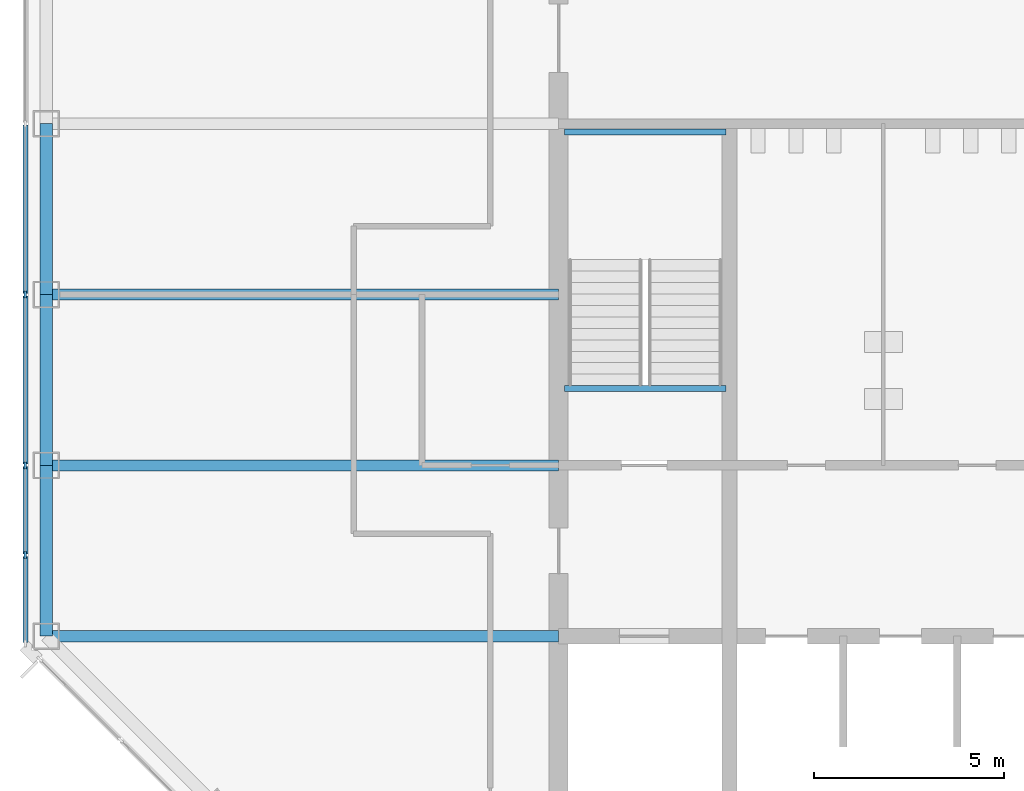
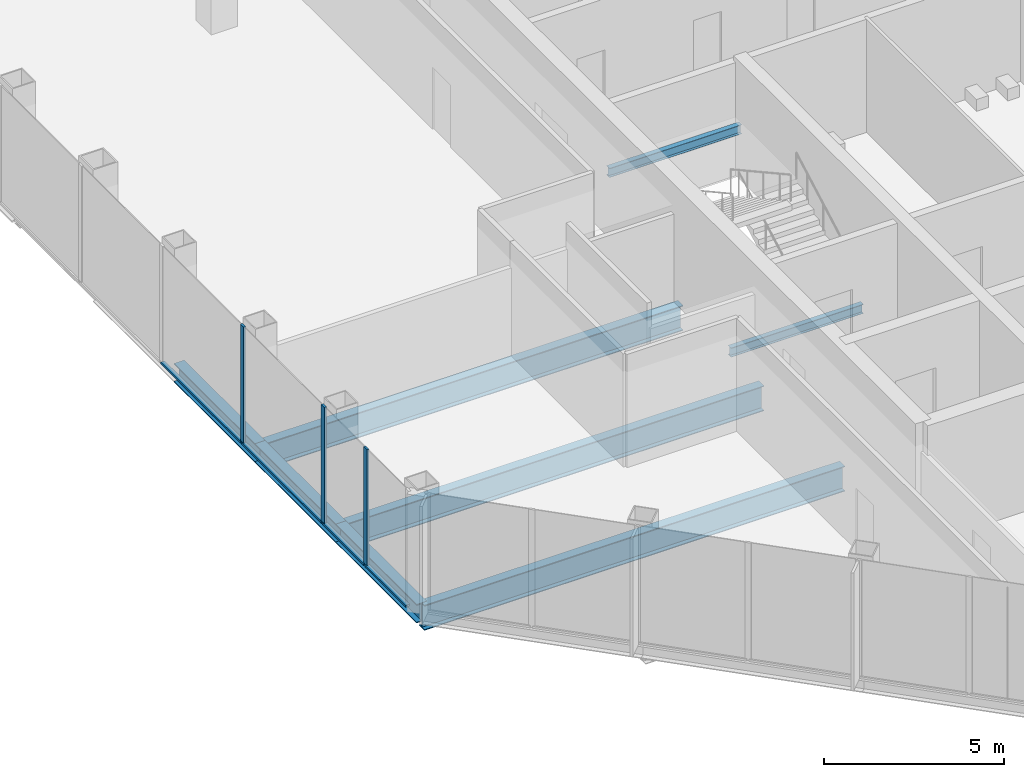
# One storey, part 3 of 13: 8 beams, 7 members, 1 element without a shape of its own.
"""IFC4 building model written with IfcOpenShell, lengths in metres."""

from ifc_helpers import new_model, si_unit, direction, frame, origin, origin_2d, place, context, subcontext, project, spatial, rectangle, i_section, extrude, material, material_profile, profile_set, type_object, element, aggregate, save


model = new_model("IFC4")

# Units and contexts
model_context = context("Model", 3, precision=1e-05, world=origin(), true_north=direction((0.0, 1.0)))
body_context = subcontext(model_context, "Body", "Model", "MODEL_VIEW")
ifc_project = project(units=[si_unit("LENGTHUNIT", "METRE"), si_unit("AREAUNIT", "SQUARE_METRE"), si_unit("VOLUMEUNIT", "CUBIC_METRE"), si_unit("PLANEANGLEUNIT", "RADIAN"), si_unit("MASSUNIT", "GRAM", prefix="KILO")], contexts=[model_context])

# Site, building, storey
site_placement = place(None, origin())
site = spatial("IfcSite", under=ifc_project, at=site_placement, CompositionType="ELEMENT")
building_placement = place(site_placement, origin())
building = spatial("IfcBuilding", under=site, at=building_placement, Name="Corais Broadcast Tower", CompositionType="ELEMENT")
storey_placement = place(building_placement, frame((0.0, 0.0, 167.60009765625)))
storey = spatial("IfcBuildingStorey", under=building, at=storey_placement, Name="L38", CompositionType="ELEMENT", Elevation=167.60009765625)

# Beams
ifc_material_1 = material(Name="Steel ASTM A572 Grade 50", Category="steel")
ifc_material_profile_1 = material_profile(ifc_material_1, i_section(OverallWidth=0.2939453125, OverallDepth=0.85107421875, WebThickness=0.01611328125, FlangeThickness=0.02685546875, at=origin_2d()), Name="W840x226")
ifc_profile_set_1 = profile_set([ifc_material_profile_1], Name="Steel ASTM A572 Grade 50")
beam_type_1 = type_object("IfcBeamType", Name="Floor beam W840x226", PredefinedType="BEAM", material=ifc_profile_set_1)
for number, where, z_axis, x_axis, name in (
    (1, (0.0, 18.0, -0.585693359375), (1.0, 0.0, 0.0), (0.0, 1.0, 0.0), "B1 E/3 to E/6"),
    (2, (0.0, 22.5, -0.585693359375), (1.0, 0.0, 0.0), (0.0, 1.0, 0.0), "B1 F/3 to F/6"),
    (3, (0.0, 27.0, -0.585693359375), (1.0, 0.0, 0.0), (0.0, 1.0, 0.0), "B1 G/3 to G/6"),
):
    element("IfcBeam", number, at=place(storey_placement, frame(where, z_axis=z_axis, x_axis=x_axis)), inside=storey, type_object=beam_type_1, Name=name, PredefinedType="BEAM", context=body_context, shape_type="SweptSolid", body=[
        extrude(i_section(OverallWidth=0.2939453125, OverallDepth=0.85107421875, WebThickness=0.01611328125, FlangeThickness=0.02685546875, at=origin_2d()), origin(), (0.0, 0.0, 1.0), 13.5),
    ])
ifc_material_2 = material(Name="Steel ASTM A572 Grade 50", Category="steel")
ifc_material_profile_2 = material_profile(ifc_material_2, i_section(OverallWidth=0.1650390625, OverallDepth=0.31005859375, WebThickness=0.005859375, FlangeThickness=0.009765625, at=origin_2d()), Name="W310x38.7")
ifc_profile_set_2 = profile_set([ifc_material_profile_2], Name="Steel ASTM A572 Grade 50")
beam_type_2 = type_object("IfcBeamType", Name="Landing trimmer W310x38.7", PredefinedType="BEAM", material=ifc_profile_set_2)
for number, where, z_axis, x_axis, name in (
    (4, (13.64990234375, 24.52490234375, -0.35498046875), (1.0, 0.0, 0.0), (0.0, 1.0, 0.0), "LT1 stair A landing trimmer L38"),
    (5, (13.64990234375, 31.284912109375, 1.64501953125), (1.0, 0.0, 0.0), (0.0, 1.0, 0.0), "LT1 stair A half landing trimmer L38"),
):
    element("IfcBeam", number, at=place(storey_placement, frame(where, z_axis=z_axis, x_axis=x_axis)), inside=storey, type_object=beam_type_2, Name=name, PredefinedType="BEAM", context=body_context, shape_type="SweptSolid", body=[
        extrude(i_section(OverallWidth=0.1650390625, OverallDepth=0.31005859375, WebThickness=0.005859375, FlangeThickness=0.009765625, at=origin_2d()), origin(), (0.0, 0.0, 1.0), 4.25),
    ])

# Curtain wall, members
ifc_material_3 = material(Name="Aluminium and glass", Category="aluminium")
curtain_wall_type = type_object("IfcCurtainWallType", Name="Unitised fritted curtain wall CW2", PredefinedType="NOTDEFINED", material=ifc_material_3)
curtain_wall_placement = place(storey_placement, origin())
curtain_wall = element("IfcCurtainWall", 6, at=curtain_wall_placement, inside=storey, type_object=curtain_wall_type, Name="CW2 curtain wall L38 2", PredefinedType="NOTDEFINED")
ifc_material_4 = material(Name="Aluminium 6063-T6", Category="aluminium")
ifc_material_profile_3 = material_profile(ifc_material_4, rectangle(XDim=0.06494140625, YDim=0.179931640625, at=origin_2d()), Name="Mullion CW2 65x180")
ifc_profile_set_3 = profile_set([ifc_material_profile_3], Name="Aluminium 6063-T6")
member_type_1 = type_object("IfcMemberType", Name="Mullion CW2 65x180", PredefinedType="MULLION", material=ifc_profile_set_3)
member_1_placement = place(storey_placement, frame((-0.550048828125, 20.135986328125, 0.0), z_axis=(0.0, 0.0, 1.0), x_axis=(-1.0, 0.0, 0.0)))
member_1 = element("IfcMember", 7, at=member_1_placement, type_object=member_type_1, Name="CW2 mullion 2", PredefinedType="MULLION", context=body_context, shape_type="SweptSolid", body=[
    extrude(rectangle(XDim=0.06494140625, YDim=0.179931640625, at=origin_2d()), origin(), (0.0, 0.0, 1.0), 4.0),
])
member_2_placement = place(storey_placement, frame((-0.550048828125, 22.5, 0.0), z_axis=(0.0, 0.0, 1.0), x_axis=(-1.0, 0.0, 0.0)))
member_2 = element("IfcMember", 8, at=member_2_placement, type_object=member_type_1, Name="CW2 mullion 3", PredefinedType="MULLION", context=body_context, shape_type="SweptSolid", body=[
    extrude(rectangle(XDim=0.06494140625, YDim=0.179931640625, at=origin_2d()), origin(), (0.0, 0.0, 1.0), 4.0),
])
member_3_placement = place(storey_placement, frame((-0.550048828125, 27.0, 0.0), z_axis=(0.0, 0.0, 1.0), x_axis=(-1.0, 0.0, 0.0)))
member_3 = element("IfcMember", 9, at=member_3_placement, type_object=member_type_1, Name="CW2 mullion 4", PredefinedType="MULLION", context=body_context, shape_type="SweptSolid", body=[
    extrude(rectangle(XDim=0.06494140625, YDim=0.179931640625, at=origin_2d()), origin(), (0.0, 0.0, 1.0), 4.0),
])

# Beams
ifc_material_5 = material(Name="Steel ASTM A572 Grade 50", Category="steel")
ifc_material_profile_4 = material_profile(ifc_material_5, i_section(OverallWidth=0.3291015625, OverallDepth=0.635009765625, WebThickness=0.017822265625, FlangeThickness=0.031005859375, at=origin_2d()), Name="W610x241")
ifc_profile_set_4 = profile_set([ifc_material_profile_4], Name="Steel ASTM A572 Grade 50")
beam_type_3 = type_object("IfcBeamType", Name="Spandrel W610x241", PredefinedType="BEAM", material=ifc_profile_set_4)
for number, where, z_axis, x_axis, name in (
    (10, (0.0, 22.5, -0.4775390625), (0.0, -1.0, 0.0), (1.0, 0.0, 0.0), "SB1 F/3 to E/3"),
    (11, (0.0, 27.0, -0.4775390625), (0.0, -1.0, 0.0), (1.0, 0.0, 0.0), "SB1 G/3 to F/3"),
    (12, (0.0, 31.5, -0.4775390625), (0.0, -1.0, 0.0), (1.0, 0.0, 0.0), "SB1 H/3 to G/3"),
):
    element("IfcBeam", number, at=place(storey_placement, frame(where, z_axis=z_axis, x_axis=x_axis)), inside=storey, type_object=beam_type_3, Name=name, PredefinedType="BEAM", context=body_context, shape_type="SweptSolid", body=[
        extrude(i_section(OverallWidth=0.3291015625, OverallDepth=0.635009765625, WebThickness=0.017822265625, FlangeThickness=0.031005859375, at=origin_2d()), origin(), (0.0, 0.0, 1.0), 4.5),
    ])

# Member
ifc_material_6 = material(Name="Aluminium 6063-T6", Category="aluminium")
ifc_material_profile_5 = material_profile(ifc_material_6, rectangle(XDim=0.1298828125, YDim=0.06494140625, at=origin_2d()), Name="Transom CW2 65x130")
ifc_profile_set_5 = profile_set([ifc_material_profile_5], Name="Aluminium 6063-T6")
member_type_2 = type_object("IfcMemberType", Name="Transom CW2 65x130", PredefinedType="USERDEFINED", material=ifc_profile_set_5)
member_4_placement = place(storey_placement, frame((-0.550048828125, 17.837158203125, 0.032470703125), z_axis=(0.0, 1.0, 0.0), x_axis=(-1.0, 0.0, 0.0)))
member_4 = element("IfcMember", 13, at=member_4_placement, type_object=member_type_2, Name="CW2 transom 1.1", ObjectType="TRANSOM", PredefinedType="USERDEFINED", context=body_context, shape_type="SweptSolid", body=[
    extrude(rectangle(XDim=0.1298828125, YDim=0.06494140625, at=origin_2d()), origin(), (0.0, 0.0, 1.0), 2.266357421875),
])

member_5_placement = place(storey_placement, frame((-0.550048828125, 20.168701171875, 0.032470703125), z_axis=(0.0, 1.0, 0.0), x_axis=(-1.0, 0.0, 0.0)))
member_5 = element("IfcMember", 14, at=member_5_placement, type_object=member_type_2, Name="CW2 transom 2.1", ObjectType="TRANSOM", PredefinedType="USERDEFINED", context=body_context, shape_type="SweptSolid", body=[
    extrude(rectangle(XDim=0.1298828125, YDim=0.06494140625, at=origin_2d()), origin(), (0.0, 0.0, 1.0), 2.298828125),
])

member_6_placement = place(storey_placement, frame((-0.550048828125, 22.532470703125, 0.032470703125), z_axis=(0.0, 1.0, 0.0), x_axis=(-1.0, 0.0, 0.0)))
member_6 = element("IfcMember", 15, at=member_6_placement, type_object=member_type_2, Name="CW2 transom 3.1", ObjectType="TRANSOM", PredefinedType="USERDEFINED", context=body_context, shape_type="SweptSolid", body=[
    extrude(rectangle(XDim=0.1298828125, YDim=0.06494140625, at=origin_2d()), origin(), (0.0, 0.0, 1.0), 4.43505859375),
])

member_7_placement = place(storey_placement, frame((-0.550048828125, 27.032470703125, 0.032470703125), z_axis=(0.0, 1.0, 0.0), x_axis=(-1.0, 0.0, 0.0)))
member_7 = element("IfcMember", 16, at=member_7_placement, type_object=member_type_2, Name="CW2 transom 4.1", ObjectType="TRANSOM", PredefinedType="USERDEFINED", context=body_context, shape_type="SweptSolid", body=[
    extrude(rectangle(XDim=0.1298828125, YDim=0.06494140625, at=origin_2d()), origin(), (0.0, 0.0, 1.0), 4.43505859375),
])

aggregate(curtain_wall, [member_1, member_2, member_3, member_4, member_5, member_6, member_7])

save(model, "model.ifc")
